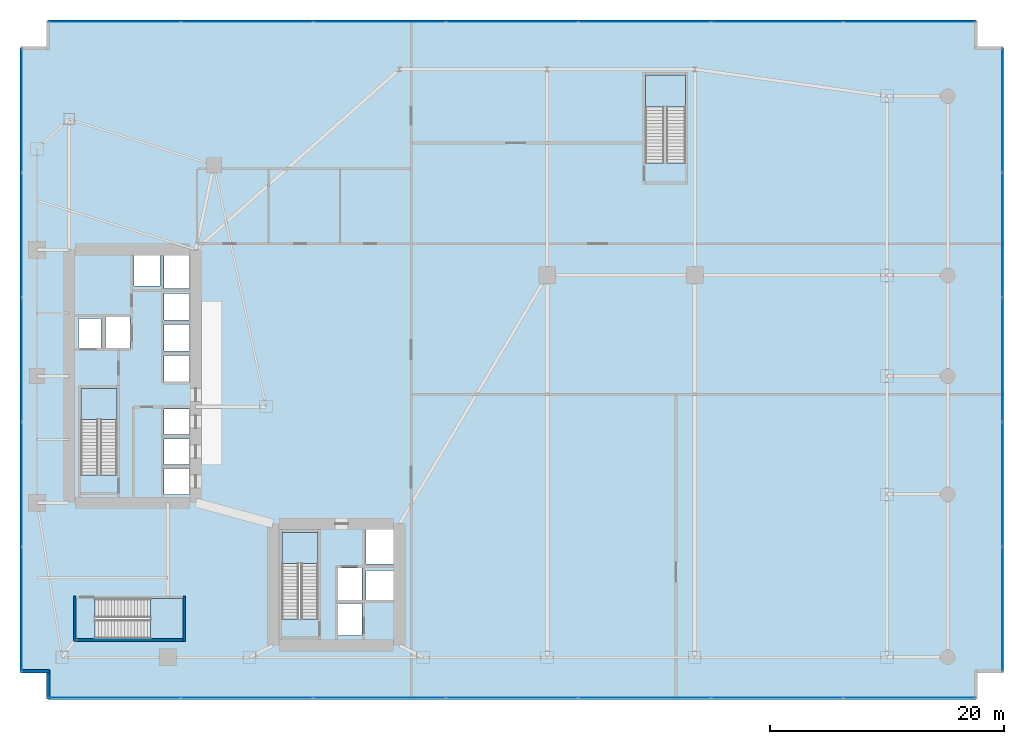
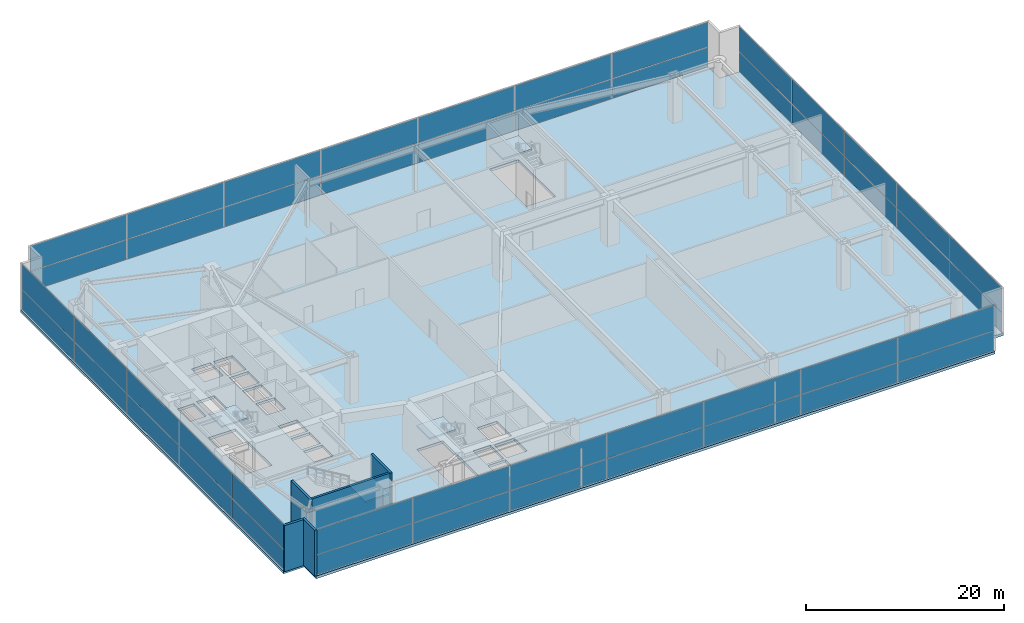
# One storey, part 29 of 35: 48 plates, 5 slabs, 5 walls, 8 elements without a shape of their own.
"""IFC4 building model written with IfcOpenShell, lengths in metres."""

from ifc_helpers import new_model, si_unit, direction, frame, frame_2d, origin, origin_2d, place, context, subcontext, project, spatial, polyline, rectangle, outline, extrude, material, layer, layer_set, type_object, element, aggregate, save


model = new_model("IFC4")

# Units and contexts
model_context = context("Model", 3, precision=1e-05, world=origin(), true_north=direction((0.0, 1.0)))
body_context = subcontext(model_context, "Body", "Model", "MODEL_VIEW")
ifc_project = project(units=[si_unit("LENGTHUNIT", "METRE"), si_unit("AREAUNIT", "SQUARE_METRE"), si_unit("VOLUMEUNIT", "CUBIC_METRE"), si_unit("PLANEANGLEUNIT", "RADIAN"), si_unit("MASSUNIT", "GRAM", prefix="KILO")], contexts=[model_context])

# Site, building, storey
site_placement = place(None, origin())
site = spatial("IfcSite", under=ifc_project, at=site_placement, CompositionType="ELEMENT")
building_placement = place(site_placement, origin())
building = spatial("IfcBuilding", under=site, at=building_placement, Name="Calvorn Quay Hotel", CompositionType="ELEMENT")
storey_placement = place(building_placement, frame((0.0, 0.0, 6.0)))
storey = spatial("IfcBuildingStorey", under=building, at=storey_placement, Name="L01", CompositionType="ELEMENT", Elevation=6.0)

# Curtain wall, plates
ifc_material_1 = material(Name="Pale Anodised Aluminium and Low-E Glass", Category="aluminium")
ifc_layer_1 = layer(ifc_material_1, 0.219970703125)
ifc_layer_set_1 = layer_set([ifc_layer_1], Name="CW-SYS-POD")
curtain_wall_type = type_object("IfcCurtainWallType", Name="CW-SYS-POD", PredefinedType="NOTDEFINED", material=ifc_layer_set_1)
curtain_wall_1_placement = place(storey_placement, origin())
curtain_wall_1 = element("IfcCurtainWall", 1, at=curtain_wall_1_placement, inside=storey, type_object=curtain_wall_type, Name="Podium Curtain Wall L01-S1", PredefinedType="NOTDEFINED")
ifc_material_2 = material(Name="Low-E Laminated Double Glazing", Category="glass")
ifc_layer_2 = layer(ifc_material_2, 0.028076171875)
ifc_layer_set_2 = layer_set([ifc_layer_2], Name="CW-SYS-POD-PAN")
plate_type = type_object("IfcPlateType", Name="CW-SYS-POD-PAN", PredefinedType="CURTAIN_PANEL", material=ifc_layer_set_2)
plate_1_placement = place(storey_placement, frame((8.072021484375, 0.14990234375, 0.06005859375), z_axis=(0.0, 0.0, 1.0), x_axis=(1.0, 0.0, 0.0)))
plate_1 = element("IfcPlate", 2, at=plate_1_placement, type_object=plate_type, Name="CW-L01-S1 panel 1.1", PredefinedType="CURTAIN_PANEL", context=body_context, shape_type="SweptSolid", body=[
    extrude(rectangle(XDim=11.224365234375, YDim=0.028076171875, at=origin_2d()), origin(), (0.0, 0.0, 1.0), 2.409912109375),
])
plate_2_placement = place(storey_placement, frame((8.072021484375, 0.14990234375, 2.52978515625), z_axis=(0.0, 0.0, 1.0), x_axis=(1.0, 0.0, 0.0)))
plate_2 = element("IfcPlate", 3, at=plate_2_placement, type_object=plate_type, Name="CW-L01-S1 panel 1.2", PredefinedType="CURTAIN_PANEL", context=body_context, shape_type="SweptSolid", body=[
    extrude(rectangle(XDim=11.224365234375, YDim=0.028076171875, at=origin_2d()), origin(), (0.0, 0.0, 1.0), 3.090087890625),
])
plate_3_placement = place(storey_placement, frame((19.371337890625, 0.14990234375, 0.06005859375), z_axis=(0.0, 0.0, 1.0), x_axis=(1.0, 0.0, 0.0)))
plate_3 = element("IfcPlate", 4, at=plate_3_placement, type_object=plate_type, Name="CW-L01-S1 panel 2.1", PredefinedType="CURTAIN_PANEL", context=body_context, shape_type="SweptSolid", body=[
    extrude(rectangle(XDim=11.25439453125, YDim=0.028076171875, at=origin_2d()), origin(), (0.0, 0.0, 1.0), 2.409912109375),
])
plate_4_placement = place(storey_placement, frame((19.371337890625, 0.14990234375, 2.52978515625), z_axis=(0.0, 0.0, 1.0), x_axis=(1.0, 0.0, 0.0)))
plate_4 = element("IfcPlate", 5, at=plate_4_placement, type_object=plate_type, Name="CW-L01-S1 panel 2.2", PredefinedType="CURTAIN_PANEL", context=body_context, shape_type="SweptSolid", body=[
    extrude(rectangle(XDim=11.25439453125, YDim=0.028076171875, at=origin_2d()), origin(), (0.0, 0.0, 1.0), 3.090087890625),
])
plate_5_placement = place(storey_placement, frame((30.685791015625, 0.14990234375, 0.06005859375), z_axis=(0.0, 0.0, 1.0), x_axis=(1.0, 0.0, 0.0)))
plate_5 = element("IfcPlate", 6, at=plate_5_placement, type_object=plate_type, Name="CW-L01-S1 panel 3.1", PredefinedType="CURTAIN_PANEL", context=body_context, shape_type="SweptSolid", body=[
    extrude(rectangle(XDim=11.25439453125, YDim=0.028076171875, at=origin_2d()), origin(), (0.0, 0.0, 1.0), 2.409912109375),
])
plate_6_placement = place(storey_placement, frame((30.685791015625, 0.14990234375, 2.52978515625), z_axis=(0.0, 0.0, 1.0), x_axis=(1.0, 0.0, 0.0)))
plate_6 = element("IfcPlate", 7, at=plate_6_placement, type_object=plate_type, Name="CW-L01-S1 panel 3.2", PredefinedType="CURTAIN_PANEL", context=body_context, shape_type="SweptSolid", body=[
    extrude(rectangle(XDim=11.25439453125, YDim=0.028076171875, at=origin_2d()), origin(), (0.0, 0.0, 1.0), 3.090087890625),
])
plate_7_placement = place(storey_placement, frame((42.0, 0.14990234375, 0.06005859375), z_axis=(0.0, 0.0, 1.0), x_axis=(1.0, 0.0, 0.0)))
plate_7 = element("IfcPlate", 8, at=plate_7_placement, type_object=plate_type, Name="CW-L01-S1 panel 4.1", PredefinedType="CURTAIN_PANEL", context=body_context, shape_type="SweptSolid", body=[
    extrude(rectangle(XDim=11.25439453125, YDim=0.028076171875, at=origin_2d()), origin(), (0.0, 0.0, 1.0), 2.409912109375),
])
plate_8_placement = place(storey_placement, frame((42.0, 0.14990234375, 2.52978515625), z_axis=(0.0, 0.0, 1.0), x_axis=(1.0, 0.0, 0.0)))
plate_8 = element("IfcPlate", 9, at=plate_8_placement, type_object=plate_type, Name="CW-L01-S1 panel 4.2", PredefinedType="CURTAIN_PANEL", context=body_context, shape_type="SweptSolid", body=[
    extrude(rectangle(XDim=11.25439453125, YDim=0.028076171875, at=origin_2d()), origin(), (0.0, 0.0, 1.0), 3.090087890625),
])
plate_9_placement = place(storey_placement, frame((53.314208984375, 0.14990234375, 0.06005859375), z_axis=(0.0, 0.0, 1.0), x_axis=(1.0, 0.0, 0.0)))
plate_9 = element("IfcPlate", 10, at=plate_9_placement, type_object=plate_type, Name="CW-L01-S1 panel 5.1", PredefinedType="CURTAIN_PANEL", context=body_context, shape_type="SweptSolid", body=[
    extrude(rectangle(XDim=11.25439453125, YDim=0.028076171875, at=origin_2d()), origin(), (0.0, 0.0, 1.0), 2.409912109375),
])
plate_10_placement = place(storey_placement, frame((53.314208984375, 0.14990234375, 2.52978515625), z_axis=(0.0, 0.0, 1.0), x_axis=(1.0, 0.0, 0.0)))
plate_10 = element("IfcPlate", 11, at=plate_10_placement, type_object=plate_type, Name="CW-L01-S1 panel 5.2", PredefinedType="CURTAIN_PANEL", context=body_context, shape_type="SweptSolid", body=[
    extrude(rectangle(XDim=11.25439453125, YDim=0.028076171875, at=origin_2d()), origin(), (0.0, 0.0, 1.0), 3.090087890625),
])
plate_11_placement = place(storey_placement, frame((64.628662109375, 0.14990234375, 0.06005859375), z_axis=(0.0, 0.0, 1.0), x_axis=(1.0, 0.0, 0.0)))
plate_11 = element("IfcPlate", 12, at=plate_11_placement, type_object=plate_type, Name="CW-L01-S1 panel 6.1", PredefinedType="CURTAIN_PANEL", context=body_context, shape_type="SweptSolid", body=[
    extrude(rectangle(XDim=11.25439453125, YDim=0.028076171875, at=origin_2d()), origin(), (0.0, 0.0, 1.0), 2.409912109375),
])
plate_12_placement = place(storey_placement, frame((64.628662109375, 0.14990234375, 2.52978515625), z_axis=(0.0, 0.0, 1.0), x_axis=(1.0, 0.0, 0.0)))
plate_12 = element("IfcPlate", 13, at=plate_12_placement, type_object=plate_type, Name="CW-L01-S1 panel 6.2", PredefinedType="CURTAIN_PANEL", context=body_context, shape_type="SweptSolid", body=[
    extrude(rectangle(XDim=11.25439453125, YDim=0.028076171875, at=origin_2d()), origin(), (0.0, 0.0, 1.0), 3.090087890625),
])
plate_13_placement = place(storey_placement, frame((75.927978515625, 0.14990234375, 0.06005859375), z_axis=(0.0, 0.0, 1.0), x_axis=(1.0, 0.0, 0.0)))
plate_13 = element("IfcPlate", 14, at=plate_13_placement, type_object=plate_type, Name="CW-L01-S1 panel 7.1", PredefinedType="CURTAIN_PANEL", context=body_context, shape_type="SweptSolid", body=[
    extrude(rectangle(XDim=11.224365234375, YDim=0.028076171875, at=origin_2d()), origin(), (0.0, 0.0, 1.0), 2.409912109375),
])
plate_14_placement = place(storey_placement, frame((75.927978515625, 0.14990234375, 2.52978515625), z_axis=(0.0, 0.0, 1.0), x_axis=(1.0, 0.0, 0.0)))
plate_14 = element("IfcPlate", 15, at=plate_14_placement, type_object=plate_type, Name="CW-L01-S1 panel 7.2", PredefinedType="CURTAIN_PANEL", context=body_context, shape_type="SweptSolid", body=[
    extrude(rectangle(XDim=11.224365234375, YDim=0.028076171875, at=origin_2d()), origin(), (0.0, 0.0, 1.0), 3.090087890625),
])
aggregate(curtain_wall_1, [plate_1, plate_2, plate_3, plate_4, plate_5, plate_6, plate_7, plate_8, plate_9, plate_10, plate_11, plate_12, plate_13, plate_14])

curtain_wall_2_placement = place(storey_placement, origin())
curtain_wall_2 = element("IfcCurtainWall", 16, at=curtain_wall_2_placement, inside=storey, type_object=curtain_wall_type, Name="Podium Curtain Wall L01-W1", PredefinedType="NOTDEFINED")
plate_15_placement = place(storey_placement, frame((0.14990234375, 7.735107421875, 0.06005859375), z_axis=(0.0, 0.0, 1.0), x_axis=(0.0, 1.0, 0.0)))
plate_15 = element("IfcPlate", 17, at=plate_15_placement, type_object=plate_type, Name="CW-L01-W1 panel 1.1", PredefinedType="CURTAIN_PANEL", context=body_context, shape_type="SweptSolid", body=[
    extrude(rectangle(XDim=10.550048828125, YDim=0.028076171875, at=origin_2d()), origin(), (0.0, 0.0, 1.0), 2.409912109375),
])
plate_16_placement = place(storey_placement, frame((0.14990234375, 7.735107421875, 2.52978515625), z_axis=(0.0, 0.0, 1.0), x_axis=(0.0, 1.0, 0.0)))
plate_16 = element("IfcPlate", 18, at=plate_16_placement, type_object=plate_type, Name="CW-L01-W1 panel 1.2", PredefinedType="CURTAIN_PANEL", context=body_context, shape_type="SweptSolid", body=[
    extrude(rectangle(XDim=10.550048828125, YDim=0.028076171875, at=origin_2d()), origin(), (0.0, 0.0, 1.0), 3.090087890625),
])
plate_17_placement = place(storey_placement, frame((0.14990234375, 18.360107421875, 0.06005859375), z_axis=(0.0, 0.0, 1.0), x_axis=(0.0, 1.0, 0.0)))
plate_17 = element("IfcPlate", 19, at=plate_17_placement, type_object=plate_type, Name="CW-L01-W1 panel 2.1", PredefinedType="CURTAIN_PANEL", context=body_context, shape_type="SweptSolid", body=[
    extrude(rectangle(XDim=10.580078125, YDim=0.028076171875, at=origin_2d()), origin(), (0.0, 0.0, 1.0), 2.409912109375),
])
plate_18_placement = place(storey_placement, frame((0.14990234375, 18.360107421875, 2.52978515625), z_axis=(0.0, 0.0, 1.0), x_axis=(0.0, 1.0, 0.0)))
plate_18 = element("IfcPlate", 20, at=plate_18_placement, type_object=plate_type, Name="CW-L01-W1 panel 2.2", PredefinedType="CURTAIN_PANEL", context=body_context, shape_type="SweptSolid", body=[
    extrude(rectangle(XDim=10.580078125, YDim=0.028076171875, at=origin_2d()), origin(), (0.0, 0.0, 1.0), 3.090087890625),
])
plate_19_placement = place(storey_placement, frame((0.14990234375, 29.0, 0.06005859375), z_axis=(0.0, 0.0, 1.0), x_axis=(0.0, 1.0, 0.0)))
plate_19 = element("IfcPlate", 21, at=plate_19_placement, type_object=plate_type, Name="CW-L01-W1 panel 3.1", PredefinedType="CURTAIN_PANEL", context=body_context, shape_type="SweptSolid", body=[
    extrude(rectangle(XDim=10.580078125, YDim=0.028076171875, at=origin_2d()), origin(), (0.0, 0.0, 1.0), 2.409912109375),
])
plate_20_placement = place(storey_placement, frame((0.14990234375, 29.0, 2.52978515625), z_axis=(0.0, 0.0, 1.0), x_axis=(0.0, 1.0, 0.0)))
plate_20 = element("IfcPlate", 22, at=plate_20_placement, type_object=plate_type, Name="CW-L01-W1 panel 3.2", PredefinedType="CURTAIN_PANEL", context=body_context, shape_type="SweptSolid", body=[
    extrude(rectangle(XDim=10.580078125, YDim=0.028076171875, at=origin_2d()), origin(), (0.0, 0.0, 1.0), 3.090087890625),
])
plate_21_placement = place(storey_placement, frame((0.14990234375, 39.639892578125, 0.06005859375), z_axis=(0.0, 0.0, 1.0), x_axis=(0.0, 1.0, 0.0)))
plate_21 = element("IfcPlate", 23, at=plate_21_placement, type_object=plate_type, Name="CW-L01-W1 panel 4.1", PredefinedType="CURTAIN_PANEL", context=body_context, shape_type="SweptSolid", body=[
    extrude(rectangle(XDim=10.580078125, YDim=0.028076171875, at=origin_2d()), origin(), (0.0, 0.0, 1.0), 2.409912109375),
])
plate_22_placement = place(storey_placement, frame((0.14990234375, 39.639892578125, 2.52978515625), z_axis=(0.0, 0.0, 1.0), x_axis=(0.0, 1.0, 0.0)))
plate_22 = element("IfcPlate", 24, at=plate_22_placement, type_object=plate_type, Name="CW-L01-W1 panel 4.2", PredefinedType="CURTAIN_PANEL", context=body_context, shape_type="SweptSolid", body=[
    extrude(rectangle(XDim=10.580078125, YDim=0.028076171875, at=origin_2d()), origin(), (0.0, 0.0, 1.0), 3.090087890625),
])
plate_23_placement = place(storey_placement, frame((0.14990234375, 50.264892578125, 0.06005859375), z_axis=(0.0, 0.0, 1.0), x_axis=(0.0, 1.0, 0.0)))
plate_23 = element("IfcPlate", 25, at=plate_23_placement, type_object=plate_type, Name="CW-L01-W1 panel 5.1", PredefinedType="CURTAIN_PANEL", context=body_context, shape_type="SweptSolid", body=[
    extrude(rectangle(XDim=10.550048828125, YDim=0.028076171875, at=origin_2d()), origin(), (0.0, 0.0, 1.0), 2.409912109375),
])
plate_24_placement = place(storey_placement, frame((0.14990234375, 50.264892578125, 2.52978515625), z_axis=(0.0, 0.0, 1.0), x_axis=(0.0, 1.0, 0.0)))
plate_24 = element("IfcPlate", 26, at=plate_24_placement, type_object=plate_type, Name="CW-L01-W1 panel 5.2", PredefinedType="CURTAIN_PANEL", context=body_context, shape_type="SweptSolid", body=[
    extrude(rectangle(XDim=10.550048828125, YDim=0.028076171875, at=origin_2d()), origin(), (0.0, 0.0, 1.0), 3.090087890625),
])
aggregate(curtain_wall_2, [plate_15, plate_16, plate_17, plate_18, plate_19, plate_20, plate_21, plate_22, plate_23, plate_24])

curtain_wall_3_placement = place(storey_placement, origin())
curtain_wall_3 = element("IfcCurtainWall", 27, at=curtain_wall_3_placement, inside=storey, type_object=curtain_wall_type, Name="Podium Curtain Wall L01-N1", PredefinedType="NOTDEFINED")
plate_25_placement = place(storey_placement, frame((8.072021484375, 57.85009765625, 0.06005859375), z_axis=(0.0, 0.0, 1.0), x_axis=(1.0, 0.0, 0.0)))
plate_25 = element("IfcPlate", 28, at=plate_25_placement, type_object=plate_type, Name="CW-L01-N1 panel 1.1", PredefinedType="CURTAIN_PANEL", context=body_context, shape_type="SweptSolid", body=[
    extrude(rectangle(XDim=11.224365234375, YDim=0.028076171875, at=origin_2d()), origin(), (0.0, 0.0, 1.0), 2.409912109375),
])
plate_26_placement = place(storey_placement, frame((8.072021484375, 57.85009765625, 2.52978515625), z_axis=(0.0, 0.0, 1.0), x_axis=(1.0, 0.0, 0.0)))
plate_26 = element("IfcPlate", 29, at=plate_26_placement, type_object=plate_type, Name="CW-L01-N1 panel 1.2", PredefinedType="CURTAIN_PANEL", context=body_context, shape_type="SweptSolid", body=[
    extrude(rectangle(XDim=11.224365234375, YDim=0.028076171875, at=origin_2d()), origin(), (0.0, 0.0, 1.0), 3.090087890625),
])
plate_27_placement = place(storey_placement, frame((19.371337890625, 57.85009765625, 0.06005859375), z_axis=(0.0, 0.0, 1.0), x_axis=(1.0, 0.0, 0.0)))
plate_27 = element("IfcPlate", 30, at=plate_27_placement, type_object=plate_type, Name="CW-L01-N1 panel 2.1", PredefinedType="CURTAIN_PANEL", context=body_context, shape_type="SweptSolid", body=[
    extrude(rectangle(XDim=11.25439453125, YDim=0.028076171875, at=origin_2d()), origin(), (0.0, 0.0, 1.0), 2.409912109375),
])
plate_28_placement = place(storey_placement, frame((19.371337890625, 57.85009765625, 2.52978515625), z_axis=(0.0, 0.0, 1.0), x_axis=(1.0, 0.0, 0.0)))
plate_28 = element("IfcPlate", 31, at=plate_28_placement, type_object=plate_type, Name="CW-L01-N1 panel 2.2", PredefinedType="CURTAIN_PANEL", context=body_context, shape_type="SweptSolid", body=[
    extrude(rectangle(XDim=11.25439453125, YDim=0.028076171875, at=origin_2d()), origin(), (0.0, 0.0, 1.0), 3.090087890625),
])
plate_29_placement = place(storey_placement, frame((30.685791015625, 57.85009765625, 0.06005859375), z_axis=(0.0, 0.0, 1.0), x_axis=(1.0, 0.0, 0.0)))
plate_29 = element("IfcPlate", 32, at=plate_29_placement, type_object=plate_type, Name="CW-L01-N1 panel 3.1", PredefinedType="CURTAIN_PANEL", context=body_context, shape_type="SweptSolid", body=[
    extrude(rectangle(XDim=11.25439453125, YDim=0.028076171875, at=origin_2d()), origin(), (0.0, 0.0, 1.0), 2.409912109375),
])
plate_30_placement = place(storey_placement, frame((30.685791015625, 57.85009765625, 2.52978515625), z_axis=(0.0, 0.0, 1.0), x_axis=(1.0, 0.0, 0.0)))
plate_30 = element("IfcPlate", 33, at=plate_30_placement, type_object=plate_type, Name="CW-L01-N1 panel 3.2", PredefinedType="CURTAIN_PANEL", context=body_context, shape_type="SweptSolid", body=[
    extrude(rectangle(XDim=11.25439453125, YDim=0.028076171875, at=origin_2d()), origin(), (0.0, 0.0, 1.0), 3.090087890625),
])
plate_31_placement = place(storey_placement, frame((42.0, 57.85009765625, 0.06005859375), z_axis=(0.0, 0.0, 1.0), x_axis=(1.0, 0.0, 0.0)))
plate_31 = element("IfcPlate", 34, at=plate_31_placement, type_object=plate_type, Name="CW-L01-N1 panel 4.1", PredefinedType="CURTAIN_PANEL", context=body_context, shape_type="SweptSolid", body=[
    extrude(rectangle(XDim=11.25439453125, YDim=0.028076171875, at=origin_2d()), origin(), (0.0, 0.0, 1.0), 2.409912109375),
])
plate_32_placement = place(storey_placement, frame((42.0, 57.85009765625, 2.52978515625), z_axis=(0.0, 0.0, 1.0), x_axis=(1.0, 0.0, 0.0)))
plate_32 = element("IfcPlate", 35, at=plate_32_placement, type_object=plate_type, Name="CW-L01-N1 panel 4.2", PredefinedType="CURTAIN_PANEL", context=body_context, shape_type="SweptSolid", body=[
    extrude(rectangle(XDim=11.25439453125, YDim=0.028076171875, at=origin_2d()), origin(), (0.0, 0.0, 1.0), 3.090087890625),
])
plate_33_placement = place(storey_placement, frame((53.314208984375, 57.85009765625, 0.06005859375), z_axis=(0.0, 0.0, 1.0), x_axis=(1.0, 0.0, 0.0)))
plate_33 = element("IfcPlate", 36, at=plate_33_placement, type_object=plate_type, Name="CW-L01-N1 panel 5.1", PredefinedType="CURTAIN_PANEL", context=body_context, shape_type="SweptSolid", body=[
    extrude(rectangle(XDim=11.25439453125, YDim=0.028076171875, at=origin_2d()), origin(), (0.0, 0.0, 1.0), 2.409912109375),
])
plate_34_placement = place(storey_placement, frame((53.314208984375, 57.85009765625, 2.52978515625), z_axis=(0.0, 0.0, 1.0), x_axis=(1.0, 0.0, 0.0)))
plate_34 = element("IfcPlate", 37, at=plate_34_placement, type_object=plate_type, Name="CW-L01-N1 panel 5.2", PredefinedType="CURTAIN_PANEL", context=body_context, shape_type="SweptSolid", body=[
    extrude(rectangle(XDim=11.25439453125, YDim=0.028076171875, at=origin_2d()), origin(), (0.0, 0.0, 1.0), 3.090087890625),
])
plate_35_placement = place(storey_placement, frame((64.628662109375, 57.85009765625, 0.06005859375), z_axis=(0.0, 0.0, 1.0), x_axis=(1.0, 0.0, 0.0)))
plate_35 = element("IfcPlate", 38, at=plate_35_placement, type_object=plate_type, Name="CW-L01-N1 panel 6.1", PredefinedType="CURTAIN_PANEL", context=body_context, shape_type="SweptSolid", body=[
    extrude(rectangle(XDim=11.25439453125, YDim=0.028076171875, at=origin_2d()), origin(), (0.0, 0.0, 1.0), 2.409912109375),
])
plate_36_placement = place(storey_placement, frame((64.628662109375, 57.85009765625, 2.52978515625), z_axis=(0.0, 0.0, 1.0), x_axis=(1.0, 0.0, 0.0)))
plate_36 = element("IfcPlate", 39, at=plate_36_placement, type_object=plate_type, Name="CW-L01-N1 panel 6.2", PredefinedType="CURTAIN_PANEL", context=body_context, shape_type="SweptSolid", body=[
    extrude(rectangle(XDim=11.25439453125, YDim=0.028076171875, at=origin_2d()), origin(), (0.0, 0.0, 1.0), 3.090087890625),
])
plate_37_placement = place(storey_placement, frame((75.927978515625, 57.85009765625, 0.06005859375), z_axis=(0.0, 0.0, 1.0), x_axis=(1.0, 0.0, 0.0)))
plate_37 = element("IfcPlate", 40, at=plate_37_placement, type_object=plate_type, Name="CW-L01-N1 panel 7.1", PredefinedType="CURTAIN_PANEL", context=body_context, shape_type="SweptSolid", body=[
    extrude(rectangle(XDim=11.224365234375, YDim=0.028076171875, at=origin_2d()), origin(), (0.0, 0.0, 1.0), 2.409912109375),
])
plate_38_placement = place(storey_placement, frame((75.927978515625, 57.85009765625, 2.52978515625), z_axis=(0.0, 0.0, 1.0), x_axis=(1.0, 0.0, 0.0)))
plate_38 = element("IfcPlate", 41, at=plate_38_placement, type_object=plate_type, Name="CW-L01-N1 panel 7.2", PredefinedType="CURTAIN_PANEL", context=body_context, shape_type="SweptSolid", body=[
    extrude(rectangle(XDim=11.224365234375, YDim=0.028076171875, at=origin_2d()), origin(), (0.0, 0.0, 1.0), 3.090087890625),
])
aggregate(curtain_wall_3, [plate_25, plate_26, plate_27, plate_28, plate_29, plate_30, plate_31, plate_32, plate_33, plate_34, plate_35, plate_36, plate_37, plate_38])

curtain_wall_4_placement = place(storey_placement, origin())
curtain_wall_4 = element("IfcCurtainWall", 42, at=curtain_wall_4_placement, inside=storey, type_object=curtain_wall_type, Name="Podium Curtain Wall L01-E1", PredefinedType="NOTDEFINED")
plate_39_placement = place(storey_placement, frame((83.85009765625, 7.735107421875, 0.06005859375), z_axis=(0.0, 0.0, 1.0), x_axis=(0.0, 1.0, 0.0)))
plate_39 = element("IfcPlate", 43, at=plate_39_placement, type_object=plate_type, Name="CW-L01-E1 panel 1.1", PredefinedType="CURTAIN_PANEL", context=body_context, shape_type="SweptSolid", body=[
    extrude(rectangle(XDim=10.550048828125, YDim=0.028076171875, at=origin_2d()), origin(), (0.0, 0.0, 1.0), 2.409912109375),
])
plate_40_placement = place(storey_placement, frame((83.85009765625, 7.735107421875, 2.52978515625), z_axis=(0.0, 0.0, 1.0), x_axis=(0.0, 1.0, 0.0)))
plate_40 = element("IfcPlate", 44, at=plate_40_placement, type_object=plate_type, Name="CW-L01-E1 panel 1.2", PredefinedType="CURTAIN_PANEL", context=body_context, shape_type="SweptSolid", body=[
    extrude(rectangle(XDim=10.550048828125, YDim=0.028076171875, at=origin_2d()), origin(), (0.0, 0.0, 1.0), 3.090087890625),
])
plate_41_placement = place(storey_placement, frame((83.85009765625, 18.360107421875, 0.06005859375), z_axis=(0.0, 0.0, 1.0), x_axis=(0.0, 1.0, 0.0)))
plate_41 = element("IfcPlate", 45, at=plate_41_placement, type_object=plate_type, Name="CW-L01-E1 panel 2.1", PredefinedType="CURTAIN_PANEL", context=body_context, shape_type="SweptSolid", body=[
    extrude(rectangle(XDim=10.580078125, YDim=0.028076171875, at=origin_2d()), origin(), (0.0, 0.0, 1.0), 2.409912109375),
])
plate_42_placement = place(storey_placement, frame((83.85009765625, 18.360107421875, 2.52978515625), z_axis=(0.0, 0.0, 1.0), x_axis=(0.0, 1.0, 0.0)))
plate_42 = element("IfcPlate", 46, at=plate_42_placement, type_object=plate_type, Name="CW-L01-E1 panel 2.2", PredefinedType="CURTAIN_PANEL", context=body_context, shape_type="SweptSolid", body=[
    extrude(rectangle(XDim=10.580078125, YDim=0.028076171875, at=origin_2d()), origin(), (0.0, 0.0, 1.0), 3.090087890625),
])
plate_43_placement = place(storey_placement, frame((83.85009765625, 29.0, 0.06005859375), z_axis=(0.0, 0.0, 1.0), x_axis=(0.0, 1.0, 0.0)))
plate_43 = element("IfcPlate", 47, at=plate_43_placement, type_object=plate_type, Name="CW-L01-E1 panel 3.1", PredefinedType="CURTAIN_PANEL", context=body_context, shape_type="SweptSolid", body=[
    extrude(rectangle(XDim=10.580078125, YDim=0.028076171875, at=origin_2d()), origin(), (0.0, 0.0, 1.0), 2.409912109375),
])
plate_44_placement = place(storey_placement, frame((83.85009765625, 29.0, 2.52978515625), z_axis=(0.0, 0.0, 1.0), x_axis=(0.0, 1.0, 0.0)))
plate_44 = element("IfcPlate", 48, at=plate_44_placement, type_object=plate_type, Name="CW-L01-E1 panel 3.2", PredefinedType="CURTAIN_PANEL", context=body_context, shape_type="SweptSolid", body=[
    extrude(rectangle(XDim=10.580078125, YDim=0.028076171875, at=origin_2d()), origin(), (0.0, 0.0, 1.0), 3.090087890625),
])
plate_45_placement = place(storey_placement, frame((83.85009765625, 39.639892578125, 0.06005859375), z_axis=(0.0, 0.0, 1.0), x_axis=(0.0, 1.0, 0.0)))
plate_45 = element("IfcPlate", 49, at=plate_45_placement, type_object=plate_type, Name="CW-L01-E1 panel 4.1", PredefinedType="CURTAIN_PANEL", context=body_context, shape_type="SweptSolid", body=[
    extrude(rectangle(XDim=10.580078125, YDim=0.028076171875, at=origin_2d()), origin(), (0.0, 0.0, 1.0), 2.409912109375),
])
plate_46_placement = place(storey_placement, frame((83.85009765625, 39.639892578125, 2.52978515625), z_axis=(0.0, 0.0, 1.0), x_axis=(0.0, 1.0, 0.0)))
plate_46 = element("IfcPlate", 50, at=plate_46_placement, type_object=plate_type, Name="CW-L01-E1 panel 4.2", PredefinedType="CURTAIN_PANEL", context=body_context, shape_type="SweptSolid", body=[
    extrude(rectangle(XDim=10.580078125, YDim=0.028076171875, at=origin_2d()), origin(), (0.0, 0.0, 1.0), 3.090087890625),
])
plate_47_placement = place(storey_placement, frame((83.85009765625, 50.264892578125, 0.06005859375), z_axis=(0.0, 0.0, 1.0), x_axis=(0.0, 1.0, 0.0)))
plate_47 = element("IfcPlate", 51, at=plate_47_placement, type_object=plate_type, Name="CW-L01-E1 panel 5.1", PredefinedType="CURTAIN_PANEL", context=body_context, shape_type="SweptSolid", body=[
    extrude(rectangle(XDim=10.550048828125, YDim=0.028076171875, at=origin_2d()), origin(), (0.0, 0.0, 1.0), 2.409912109375),
])
plate_48_placement = place(storey_placement, frame((83.85009765625, 50.264892578125, 2.52978515625), z_axis=(0.0, 0.0, 1.0), x_axis=(0.0, 1.0, 0.0)))
plate_48 = element("IfcPlate", 52, at=plate_48_placement, type_object=plate_type, Name="CW-L01-E1 panel 5.2", PredefinedType="CURTAIN_PANEL", context=body_context, shape_type="SweptSolid", body=[
    extrude(rectangle(XDim=10.550048828125, YDim=0.028076171875, at=origin_2d()), origin(), (0.0, 0.0, 1.0), 3.090087890625),
])
aggregate(curtain_wall_4, [plate_39, plate_40, plate_41, plate_42, plate_43, plate_44, plate_45, plate_46, plate_47, plate_48])

# Slab
ifc_material_3 = material(Name="Concrete C40", Category="concrete")
ifc_layer_3 = layer(ifc_material_3, 0.320068359375)
ifc_layer_set_3 = layer_set([ifc_layer_3], Name="SLB-POD-320")
slab_type_1 = type_object("IfcSlabType", Name="SLB-POD-320", PredefinedType="FLOOR", material=ifc_layer_set_3)
slab_1_placement = place(storey_placement, frame((0.0, 0.0, -0.320068359375)))
element("IfcSlab", 53, at=slab_1_placement, inside=storey, type_object=slab_type_1, Name="L01 Structural Floor Slab", PredefinedType="FLOOR", context=body_context, shape_type="SweptSolid", body=[
    extrude(outline(polyline([(0.0, 2.39990234375), (2.39990234375, 2.39990234375), (2.39990234375, 0.0), (81.60009765625, 0.0), (81.60009765625, 2.39990234375), (84.0, 2.39990234375), (84.0, 55.60009765625), (81.60009765625, 55.60009765625), (81.60009765625, 58.0), (2.39990234375, 58.0), (2.39990234375, 55.60009765625), (0.0, 55.60009765625), (0.0, 2.39990234375)]), holes=[polyline([(5.199951171875, 19.156005859375), (8.300048828125, 19.156005859375), (8.300048828125, 26.550048828125), (5.199951171875, 26.550048828125), (5.199951171875, 19.156005859375)]), polyline([(22.35009765625, 6.85595703125), (25.449951171875, 6.85595703125), (25.449951171875, 14.25), (22.35009765625, 14.25), (22.35009765625, 6.85595703125)]), polyline([(53.39990234375, 45.805908203125), (56.800048828125, 45.805908203125), (56.800048828125, 53.300048828125), (53.39990234375, 53.300048828125), (53.39990234375, 45.805908203125)]), polyline([(6.406005859375, 5.199951171875), (13.89990234375, 5.199951171875), (13.89990234375, 8.60009765625), (6.406005859375, 8.60009765625), (6.406005859375, 5.199951171875)]), polyline([(5.0, 30.0), (6.89990234375, 30.0), (6.89990234375, 32.5), (5.0, 32.5), (5.0, 30.0)]), polyline([(7.300048828125, 30.0), (9.39990234375, 30.0), (9.39990234375, 32.64990234375), (7.300048828125, 32.64990234375), (7.300048828125, 30.0)]), polyline([(27.159912109375, 8.5), (29.2099609375, 8.5), (29.2099609375, 11.199951171875), (27.159912109375, 11.199951171875), (27.159912109375, 8.5)]), polyline([(27.159912109375, 5.449951171875), (29.2099609375, 5.449951171875), (29.2099609375, 8.199951171875), (27.159912109375, 8.199951171875), (27.159912109375, 5.449951171875)]), polyline([(12.300048828125, 17.5), (14.489990234375, 17.5), (14.489990234375, 19.699951171875), (12.300048828125, 19.699951171875), (12.300048828125, 17.5)]), polyline([(12.300048828125, 20.050048828125), (14.489990234375, 20.050048828125), (14.489990234375, 22.25), (12.300048828125, 22.25), (12.300048828125, 20.050048828125)]), polyline([(12.300048828125, 22.60009765625), (14.489990234375, 22.60009765625), (14.489990234375, 24.800048828125), (12.300048828125, 24.800048828125), (12.300048828125, 22.60009765625)]), polyline([(12.300048828125, 27.10009765625), (14.489990234375, 27.10009765625), (14.489990234375, 29.35009765625), (12.300048828125, 29.35009765625), (12.300048828125, 27.10009765625)]), polyline([(12.300048828125, 29.75), (14.489990234375, 29.75), (14.489990234375, 32.0), (12.300048828125, 32.0), (12.300048828125, 29.75)]), polyline([(12.300048828125, 32.39990234375), (14.489990234375, 32.39990234375), (14.489990234375, 34.64990234375), (12.300048828125, 34.64990234375), (12.300048828125, 32.39990234375)]), polyline([(12.300048828125, 35.10009765625), (14.489990234375, 35.10009765625), (14.489990234375, 37.889892578125), (12.300048828125, 37.889892578125), (12.300048828125, 35.10009765625)]), polyline([(9.75, 35.300048828125), (11.949951171875, 35.300048828125), (11.949951171875, 37.889892578125), (9.75, 37.889892578125), (9.75, 35.300048828125)]), polyline([(29.550048828125, 11.550048828125), (31.889892578125, 11.550048828125), (31.889892578125, 14.489990234375), (29.550048828125, 14.489990234375), (29.550048828125, 11.550048828125)]), polyline([(29.550048828125, 8.449951171875), (31.889892578125, 8.449951171875), (31.889892578125, 11.0), (29.550048828125, 11.0), (29.550048828125, 8.449951171875)])]), origin(), (0.0, 0.0, 1.0), 0.320068359375),
])

# Stair, slab
ifc_material_4 = material(Name="Concrete C40", Category="concrete")
stair_type_1 = type_object("IfcStairType", Name="STR-CORE-DOGLEG", PredefinedType="HALF_TURN_STAIR", material=ifc_material_4)
stair_1_placement = place(storey_placement, origin())
stair_1 = element("IfcStair", 54, at=stair_1_placement, inside=storey, type_object=stair_type_1, Name="L01 ST-W", PredefinedType="HALF_TURN_STAIR")
ifc_material_5 = material(Name="Concrete C40", Category="concrete")
ifc_layer_4 = layer(ifc_material_5, 0.199951171875)
ifc_layer_set_4 = layer_set([ifc_layer_4], Name="SLB-STAIR-LANDING-200")
slab_type_2 = type_object("IfcSlabType", Name="SLB-STAIR-LANDING-200", PredefinedType="LANDING", material=ifc_layer_set_4)
slab_2_placement = place(storey_placement, frame((0.0, 0.0, 2.800048828125)))
slab_2 = element("IfcSlab", 55, at=slab_2_placement, type_object=slab_type_2, Name="ST-W landing 1", PredefinedType="LANDING", context=body_context, shape_type="SweptSolid", body=[
    extrude(outline(polyline([(8.300048828125, 23.909912109375), (8.300048828125, 26.550048828125), (5.199951171875, 26.550048828125), (5.199951171875, 23.909912109375), (8.300048828125, 23.909912109375)])), origin(), (0.0, 0.0, 1.0), 0.199951171875),
])
aggregate(stair_1, [slab_2])

stair_2_placement = place(storey_placement, origin())
stair_2 = element("IfcStair", 56, at=stair_2_placement, inside=storey, type_object=stair_type_1, Name="L01 ST-E", PredefinedType="HALF_TURN_STAIR")
slab_3_placement = place(storey_placement, frame((0.0, 0.0, 2.800048828125)))
slab_3 = element("IfcSlab", 57, at=slab_3_placement, type_object=slab_type_2, Name="ST-E landing 1", PredefinedType="LANDING", context=body_context, shape_type="SweptSolid", body=[
    extrude(outline(polyline([(25.449951171875, 11.610107421875), (25.449951171875, 14.25), (22.35009765625, 14.25), (22.35009765625, 11.610107421875), (25.449951171875, 11.610107421875)])), origin(), (0.0, 0.0, 1.0), 0.199951171875),
])
aggregate(stair_2, [slab_3])

ifc_material_6 = material(Name="Concrete C40", Category="concrete")
stair_type_2 = type_object("IfcStairType", Name="STR-POD-DOGLEG", PredefinedType="TWO_QUARTER_TURN_STAIR", material=ifc_material_6)
stair_3_placement = place(storey_placement, origin())
stair_3 = element("IfcStair", 58, at=stair_3_placement, inside=storey, type_object=stair_type_2, Name="L01 ST-P1", PredefinedType="TWO_QUARTER_TURN_STAIR")
slab_4_placement = place(storey_placement, frame((0.0, 0.0, 2.800048828125)))
slab_4 = element("IfcSlab", 59, at=slab_4_placement, type_object=slab_type_2, Name="ST-P1 landing 1", PredefinedType="LANDING", context=body_context, shape_type="SweptSolid", body=[
    extrude(outline(polyline([(56.800048828125, 50.56005859375), (56.800048828125, 53.300048828125), (53.39990234375, 53.300048828125), (53.39990234375, 50.56005859375), (56.800048828125, 50.56005859375)])), origin(), (0.0, 0.0, 1.0), 0.199951171875),
])
aggregate(stair_3, [slab_4])

stair_4_placement = place(storey_placement, origin())
stair_4 = element("IfcStair", 60, at=stair_4_placement, inside=storey, type_object=stair_type_2, Name="L01 ST-P2", PredefinedType="TWO_QUARTER_TURN_STAIR")
slab_5_placement = place(storey_placement, frame((0.0, 0.0, 2.800048828125)))
slab_5 = element("IfcSlab", 61, at=slab_5_placement, type_object=slab_type_2, Name="ST-P2 landing 1", PredefinedType="LANDING", context=body_context, shape_type="SweptSolid", body=[
    extrude(outline(polyline([(11.159912109375, 5.199951171875), (13.89990234375, 5.199951171875), (13.89990234375, 8.60009765625), (11.159912109375, 8.60009765625), (11.159912109375, 5.199951171875)])), origin(), (0.0, 0.0, 1.0), 0.199951171875),
])
aggregate(stair_4, [slab_5])

# Walls
ifc_material_7 = material(Name="Concrete C40", Category="concrete")
ifc_layer_5 = layer(ifc_material_7, 0.320068359375)
ifc_layer_set_5 = layer_set([ifc_layer_5], Name="WL-EXT-SPANDREL-320")
wall_type_1 = type_object("IfcWallType", Name="WL-EXT-SPANDREL-320", PredefinedType="SOLIDWALL", material=ifc_layer_set_5)
for number, where, z_axis, x_axis, name in (
    (62, (0.0400390625, 2.39990234375, 0.0), (0.0, 0.0, 1.0), (1.0, 0.0, 0.0), "Podium Notched Corner Wall L01-SW1"),
    (63, (2.39990234375, 2.5, 0.0), (0.0, 0.0, 1.0), (0.0, -1.0, 0.0), "Podium Notched Corner Wall L01-SW2"),
):
    element("IfcWall", number, at=place(storey_placement, frame(where, z_axis=z_axis, x_axis=x_axis)), inside=storey, type_object=wall_type_1, Name=name, PredefinedType="SOLIDWALL", context=body_context, shape_type="SweptSolid", body=[
        extrude(rectangle(XDim=2.4599609375, YDim=0.280029296875, at=frame_2d((1.22998046875, 0.0))), origin(), (0.0, 0.0, 1.0), 5.679931640625),
    ])
ifc_material_8 = material(Name="Concrete C40", Category="concrete")
ifc_layer_6 = layer(ifc_material_8, 0.239990234375)
ifc_layer_set_6 = layer_set([ifc_layer_6], Name="WL-SHAFT-240")
wall_type_2 = type_object("IfcWallType", Name="WL-SHAFT-240", PredefinedType="SOLIDWALL", material=ifc_layer_set_6)
for number, where, z_axis, x_axis, name in (
    (64, (4.679931640625, 4.9599609375, 0.0), (0.0, 0.0, 1.0), (0.0, 1.0, 0.0), "Stair STP2 Shaft Wall W (L01)"),
    (65, (14.02001953125, 4.9599609375, 0.0), (0.0, 0.0, 1.0), (0.0, 1.0, 0.0), "Stair STP2 Shaft Wall E (L01)"),
):
    element("IfcWall", number, at=place(storey_placement, frame(where, z_axis=z_axis, x_axis=x_axis)), inside=storey, type_object=wall_type_2, Name=name, PredefinedType="SOLIDWALL", context=body_context, shape_type="SweptSolid", body=[
        extrude(rectangle(XDim=3.880126953125, YDim=0.239990234375, at=frame_2d((1.93994140625, 0.0))), origin(), (0.0, 0.0, 1.0), 5.679931640625),
    ])
wall_placement = place(storey_placement, frame((4.800048828125, 5.080078125, 0.0), z_axis=(0.0, 0.0, 1.0), x_axis=(1.0, 0.0, 0.0)))
element("IfcWall", 66, at=wall_placement, inside=storey, type_object=wall_type_2, Name="Stair STP2 Shaft Wall S (L01)", PredefinedType="SOLIDWALL", context=body_context, shape_type="SweptSolid", body=[
    extrude(rectangle(XDim=9.099853515625, YDim=0.239990234375, at=frame_2d((4.5498046875, 0.0))), origin(), (0.0, 0.0, 1.0), 5.679931640625),
])

save(model, "model.ifc")
